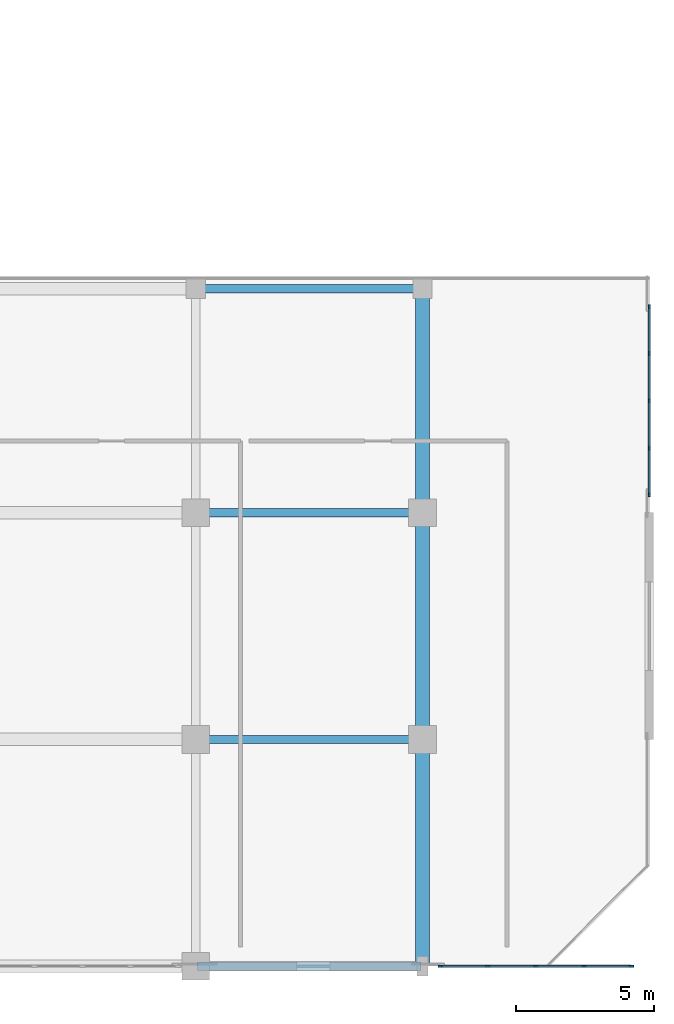
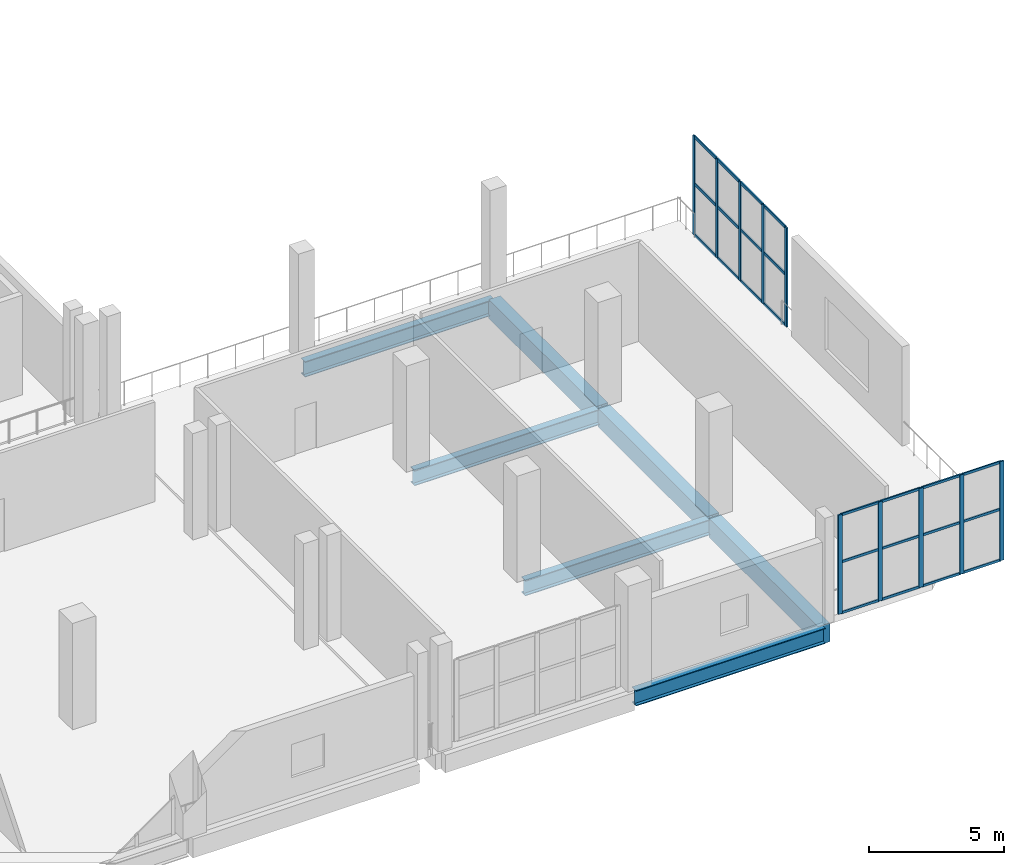
# One storey, part 38 of 129: 34 members, 7 beams, 2 elements without a shape of their own.
"""IFC4 building model written with IfcOpenShell, lengths in metres."""

import ifcopenshell
import ifcopenshell.guid

model = None  # the IFC model being written
_history = None  # IfcOwnerHistory: only IFC2X3 demands one
_inside = {}  # id of a spatial element -> (the spatial element, [elements in it])
_under = {}  # id of a project, library or spatial element -> (it, [spatial elements below it])
_declared = {}  # id of a project -> (the project, [libraries it declares])
_typed = {}  # id of a type object -> (the type object, [elements of that type])
_made_of = {}  # id of a material, layer set ... -> (it, [elements and type objects made of it])


def new_model(schema):
    """Start an empty IFC model of exactly this schema.

    Asked for "IFC4X3", IfcOpenShell would pick the latest addendum, in which some entities
    have other attributes; the version numbers below select the first issue.
    IFC2X3 requires an IfcOwnerHistory on every rooted entity: one is made here for all.
    """
    global model, _history
    if schema == "IFC4X3":
        model = ifcopenshell.file(schema_version=(4, 3, 0, 0))
    else:
        model = ifcopenshell.file(schema=schema)
    _inside.clear()
    _under.clear()
    _declared.clear()
    _typed.clear()
    _made_of.clear()
    _history = None
    if model.schema == "IFC2X3":
        org = make("IfcOrganization", Name="unknown")
        user = make(
            "IfcPersonAndOrganization",
            ThePerson=make("IfcPerson", FamilyName="unknown"),
            TheOrganization=org,
        )
        app = make(
            "IfcApplication",
            ApplicationDeveloper=org,
            Version="unknown",
            ApplicationFullName="unknown",
            ApplicationIdentifier="unknown",
        )
        _history = make(
            "IfcOwnerHistory",
            OwningUser=user,
            OwningApplication=app,
            ChangeAction="ADDED",
            CreationDate=0,
        )
    return model


def make(cls, **values):
    """One entity of the class cls with the attributes given. An attribute that is None is left unset."""
    return model.create_entity(
        cls, **{name: value for name, value in values.items() if value is not None}
    )


def rooted(cls, **values):
    """An entity with a GlobalId (a new one), such as an element, a storey or a relation."""
    return make(cls, GlobalId=ifcopenshell.guid.new(), OwnerHistory=_history, **values)


def si_unit(unit_type, name, prefix=None):
    """IfcSIUnit, for example si_unit("LENGTHUNIT", "METRE", prefix="MILLI")."""
    return make("IfcSIUnit", UnitType=unit_type, Prefix=prefix, Name=name)


def assignment(units):
    """IfcUnitAssignment: the units of a project."""
    return None if units is None else make("IfcUnitAssignment", Units=units)


def point(xyz):
    """IfcCartesianPoint."""
    return None if xyz is None else make("IfcCartesianPoint", Coordinates=xyz)


def direction(xyz):
    """IfcDirection."""
    return None if xyz is None else make("IfcDirection", DirectionRatios=xyz)


def frame(location, z_axis=None, x_axis=None):
    """IfcAxis2Placement3D, a coordinate frame: its origin and axes. An axis left out is left unset."""
    return make(
        "IfcAxis2Placement3D",
        Location=point(location),
        Axis=direction(z_axis),
        RefDirection=direction(x_axis),
    )


def frame_2d(location, x_axis=None):
    """IfcAxis2Placement2D, a coordinate frame in the plane: its origin and x axis."""
    return make(
        "IfcAxis2Placement2D", Location=point(location), RefDirection=direction(x_axis)
    )


def origin():
    """The frame at (0, 0, 0) with its axes left unset."""
    return frame((0.0, 0.0, 0.0))


def origin_2d():
    """The frame at (0, 0) in the plane with its x axis left unset."""
    return frame_2d((0.0, 0.0))


def place(relative_to, where):
    """IfcLocalPlacement: puts the frame where relative to a parent placement (None: the world)."""
    return make(
        "IfcLocalPlacement", PlacementRelTo=relative_to, RelativePlacement=where
    )


def context(
    kind, dimensions, precision=None, world=None, true_north=None, identifier=None
):
    """IfcGeometricRepresentationContext, for example the 3D "Model" context."""
    return make(
        "IfcGeometricRepresentationContext",
        ContextIdentifier=identifier,
        ContextType=kind,
        CoordinateSpaceDimension=dimensions,
        Precision=precision,
        WorldCoordinateSystem=world,
        TrueNorth=true_north,
    )


def subcontext(parent, identifier, kind, view, scale=None):
    """IfcGeometricRepresentationSubContext, for example "Body" below "Model"."""
    return make(
        "IfcGeometricRepresentationSubContext",
        ContextIdentifier=identifier,
        ContextType=kind,
        ParentContext=parent,
        TargetScale=scale,
        TargetView=view,
    )


def project(units=None, contexts=None):
    """IfcProject with its units and contexts."""
    return rooted(
        "IfcProject",
        Name="project",
        RepresentationContexts=contexts,
        UnitsInContext=assignment(units),
    )


def spatial(cls, under=None, at=None, **own):
    """A site, building, storey or space (cls), placed at a placement, below another one or the project."""
    s = rooted(cls, ObjectPlacement=at, **own)
    if under is not None:
        _under.setdefault(under.id(), (under, []))[1].append(s)
    return s


def profile(cls, at=None, kind="AREA", **sizes):
    """A parametric profile (cls). Its sizes go by their IFC names, for example OverallWidth=200.0."""
    return make(cls, ProfileType=kind, Position=at, **sizes)


def rectangle(**sizes):
    """IfcRectangleProfileDef."""
    return profile("IfcRectangleProfileDef", **sizes)


def i_section(**sizes):
    """IfcIShapeProfileDef."""
    return profile("IfcIShapeProfileDef", **sizes)


def extrude(swept, where, along, depth):
    """IfcExtrudedAreaSolid: the profile swept, set in the frame where, extruded along a direction by depth."""
    return make(
        "IfcExtrudedAreaSolid",
        SweptArea=swept,
        Position=where,
        ExtrudedDirection=direction(along),
        Depth=depth,
    )


def shape(context_of_items, identifier, shape_type, items):
    """IfcShapeRepresentation: the items that make up one representation, for example the "Body"."""
    return make(
        "IfcShapeRepresentation",
        ContextOfItems=context_of_items,
        RepresentationIdentifier=identifier,
        RepresentationType=shape_type,
        Items=items,
    )


def material(Name=None, Category=None):
    """IfcMaterial."""
    return make("IfcMaterial", Name=Name, Category=Category)


def material_profile(
    of_material, cross_section, Name=None, Category=None, Priority=None
):
    """IfcMaterialProfile: a cross section and its material."""
    return make(
        "IfcMaterialProfile",
        Name=Name,
        Material=of_material,
        Profile=cross_section,
        Priority=Priority,
        Category=Category,
    )


def profile_set(profiles, Name=None, composite=None):
    """IfcMaterialProfileSet."""
    return make(
        "IfcMaterialProfileSet",
        Name=Name,
        MaterialProfiles=profiles,
        CompositeProfile=composite,
    )


def made_of(thing, what):
    """Note that an element or type object is made of a material, layer set ...; save() writes the relation."""
    if what is not None:
        _made_of.setdefault(what.id(), (what, []))[1].append(thing)
    return thing


def type_object(cls, material=None, **own):
    """A type object (cls), such as IfcWallType, which elements share."""
    return made_of(rooted(cls, **own), material)


def element(
    cls,
    number,
    at=None,
    inside=None,
    cuts=None,
    type_object=None,
    material=None,
    context=None,
    identifier="Body",
    shape_type=None,
    held_by="IfcProductDefinitionShape",
    body=None,
    shapes=None,
    **own,
):
    """One element of the class cls, such as IfcWall. Its Tag is "e" and its number.

    at: its placement. inside: the storey or other place that contains it. cuts: it is an
    opening in that element (IfcRelVoidsElement). A single representation is given by context,
    identifier, shape_type and body (its items); several are given by shapes. held_by: the class
    of the entity that holds the representations. save() writes the other relations.
    """
    e = rooted(cls, Tag="e%d" % number, ObjectPlacement=at, **own)
    if body is not None:
        shapes = [shape(context, identifier, shape_type, body)]
    if shapes is not None:
        e.Representation = make(held_by, Representations=shapes)
    if inside is not None:
        _inside.setdefault(inside.id(), (inside, []))[1].append(e)
    if cuts is not None:
        rooted(
            "IfcRelVoidsElement", RelatingBuildingElement=cuts, RelatedOpeningElement=e
        )
    if type_object is not None:
        _typed.setdefault(type_object.id(), (type_object, []))[1].append(e)
    return made_of(e, material)


def aggregate(whole, parts):
    """IfcRelAggregates: a whole, such as a stair, and the parts it consists of."""
    return rooted("IfcRelAggregates", RelatingObject=whole, RelatedObjects=parts)


def save(model, path):
    """Write the relations noted so far, then the file.

    IfcRelAggregates (storeys below a building ...), IfcRelContainedInSpatialStructure (elements
    in a storey), IfcRelDefinesByType, IfcRelAssociatesMaterial and IfcRelDeclares: one each for
    every whole, place, type object, material and project.
    """
    for whole, parts in _under.values():
        aggregate(whole, parts)
    for where, things in _inside.values():
        rooted(
            "IfcRelContainedInSpatialStructure",
            RelatedElements=things,
            RelatingStructure=where,
        )
    for kind, things in _typed.values():
        rooted("IfcRelDefinesByType", RelatedObjects=things, RelatingType=kind)
    for what, things in _made_of.values():
        rooted("IfcRelAssociatesMaterial", RelatedObjects=things, RelatingMaterial=what)
    for by, libraries in _declared.values():
        rooted("IfcRelDeclares", RelatingContext=by, RelatedDefinitions=libraries)
    model.write(path)


model = new_model("IFC4")

# Units and contexts
model_context = context("Model", 3, precision=1e-05, world=origin(), true_north=direction((0.0, 1.0)))
body_context = subcontext(model_context, "Body", "Model", "MODEL_VIEW")
ifc_project = project(units=[si_unit("LENGTHUNIT", "METRE"), si_unit("AREAUNIT", "SQUARE_METRE"), si_unit("VOLUMEUNIT", "CUBIC_METRE"), si_unit("PLANEANGLEUNIT", "RADIAN"), si_unit("MASSUNIT", "GRAM", prefix="KILO")], contexts=[model_context])

# Site, building, storey
site_placement = place(None, origin())
site = spatial("IfcSite", under=ifc_project, at=site_placement, CompositionType="ELEMENT")
building_placement = place(site_placement, origin())
building = spatial("IfcBuilding", under=site, at=building_placement, Name="Koshinbarg Plaza Stadium", CompositionType="ELEMENT")
storey_placement = place(building_placement, frame((0.0, 0.0, 5.39990234375)))
storey = spatial("IfcBuildingStorey", under=building, at=storey_placement, Name="L01", CompositionType="ELEMENT", Elevation=5.39990234375)

# Beams
ifc_material_1 = material(Name="Concrete C40/50", Category="concrete")
ifc_material_profile_1 = material_profile(ifc_material_1, rectangle(XDim=0.5, YDim=0.85009765625, at=origin_2d()), Name="RC 500x850")
ifc_profile_set_1 = profile_set([ifc_material_profile_1], Name="Concrete C40/50")
beam_type_1 = type_object("IfcBeamType", Name="BM-RCG-05", PredefinedType="USERDEFINED", material=ifc_profile_set_1)
beam_1_placement = place(storey_placement, frame((235.800048828125, 0.06005859375, -0.744873046875), z_axis=(0.0, 1.0, 0.0), x_axis=(-1.0, 0.0, 0.0)))
element("IfcBeam", 1, at=beam_1_placement, inside=storey, type_object=beam_type_1, Name="L01 Y girder 24/A-B", ObjectType="GIRDER", PredefinedType="USERDEFINED", context=body_context, shape_type="SweptSolid", body=[
    extrude(rectangle(XDim=0.5, YDim=0.85009765625, at=origin_2d()), origin(), (0.0, 0.0, 1.0), 8.079833984375),
])
beam_2_placement = place(storey_placement, frame((235.800048828125, 8.260009765625, -0.744873046875), z_axis=(0.0, 1.0, 0.0), x_axis=(-1.0, 0.0, 0.0)))
element("IfcBeam", 2, at=beam_2_placement, inside=storey, type_object=beam_type_1, Name="L01 Y girder 24/B-C", ObjectType="GIRDER", PredefinedType="USERDEFINED", context=body_context, shape_type="SweptSolid", body=[
    extrude(rectangle(XDim=0.5, YDim=0.85009765625, at=origin_2d()), origin(), (0.0, 0.0, 1.0), 8.080078125),
])
beam_3_placement = place(storey_placement, frame((235.800048828125, 16.4599609375, -0.744873046875), z_axis=(0.0, 1.0, 0.0), x_axis=(-1.0, 0.0, 0.0)))
element("IfcBeam", 3, at=beam_3_placement, inside=storey, type_object=beam_type_1, Name="L01 Y girder 24/C-D", ObjectType="GIRDER", PredefinedType="USERDEFINED", context=body_context, shape_type="SweptSolid", body=[
    extrude(rectangle(XDim=0.5, YDim=0.85009765625, at=origin_2d()), origin(), (0.0, 0.0, 1.0), 7.97998046875),
])
ifc_material_2 = material(Name="Steel S355", Category="steel")
ifc_material_profile_2 = material_profile(ifc_material_2, i_section(OverallWidth=0.300048828125, OverallDepth=0.699951171875, WebThickness=0.01708984375, FlangeThickness=0.031982421875, at=origin_2d()), Name="HEB 700")
ifc_profile_set_2 = profile_set([ifc_material_profile_2], Name="Steel S355")
beam_type_2 = type_object("IfcBeamType", Name="BM-SGIR-03", PredefinedType="USERDEFINED", material=ifc_profile_set_2)
for number, where, z_axis, x_axis, name in (
    (4, (227.659912109375, 0.0, -0.669921875), (1.0, 0.0, 0.0), (0.0, 1.0, 0.0), "L01 X girder A/23-24"),
    (5, (227.659912109375, 8.199951171875, -0.669921875), (1.0, 0.0, 0.0), (0.0, 1.0, 0.0), "L01 X girder B/23-24"),
    (6, (227.659912109375, 16.39990234375, -0.669921875), (1.0, 0.0, 0.0), (0.0, 1.0, 0.0), "L01 X girder C/23-24"),
    (7, (227.659912109375, 24.5, -0.669921875), (1.0, 0.0, 0.0), (0.0, 1.0, 0.0), "L01 X girder D/23-24"),
):
    element("IfcBeam", number, at=place(storey_placement, frame(where, z_axis=z_axis, x_axis=x_axis)), inside=storey, type_object=beam_type_2, Name=name, ObjectType="GIRDER", PredefinedType="USERDEFINED", context=body_context, shape_type="SweptSolid", body=[
        extrude(i_section(OverallWidth=0.300048828125, OverallDepth=0.699951171875, WebThickness=0.01708984375, FlangeThickness=0.031982421875, at=origin_2d()), origin(), (0.0, 0.0, 1.0), 8.080078125),
    ])

# Curtain wall, members
ifc_material_3 = material(Name="Thermally broken anodised aluminium and low-E double glazing", Category="aluminium")
curtain_wall_type_1 = type_object("IfcCurtainWallType", Name="CW-SYS-10", PredefinedType="NOTDEFINED", material=ifc_material_3)
curtain_wall_1_placement = place(storey_placement, origin())
curtain_wall_1 = element("IfcCurtainWall", 8, at=curtain_wall_1_placement, inside=storey, type_object=curtain_wall_type_1, Name="L01 unitised curtain wall CW-L01-025", PredefinedType="NOTDEFINED")
ifc_material_4 = material(Name="Anodised aluminium mullion", Category="aluminium")
ifc_material_profile_3 = material_profile(ifc_material_4, rectangle(XDim=0.06005859375, YDim=0.159912109375, at=origin_2d()), Name="ALU 60x160")
ifc_profile_set_3 = profile_set([ifc_material_profile_3], Name="Anodised aluminium mullion")
member_type_1 = type_object("IfcMemberType", Name="CW-MUL-02", PredefinedType="MULLION", material=ifc_profile_set_3)
member_1_placement = place(storey_placement, frame((244.0, 23.85009765625, 0.0), z_axis=(0.0, 0.0, 1.0), x_axis=(1.0, 0.0, 0.0)))
member_1 = element("IfcMember", 9, at=member_1_placement, type_object=member_type_1, Name="CW10 mullion 1", PredefinedType="MULLION", context=body_context, shape_type="SweptSolid", body=[
    extrude(rectangle(XDim=0.06005859375, YDim=0.159912109375, at=origin_2d()), origin(), (0.0, 0.0, 1.0), 4.47998046875),
])
member_2_placement = place(storey_placement, frame((244.0, 22.1650390625, 0.0), z_axis=(0.0, 0.0, 1.0), x_axis=(1.0, 0.0, 0.0)))
member_2 = element("IfcMember", 10, at=member_2_placement, type_object=member_type_1, Name="CW10 mullion 2", PredefinedType="MULLION", context=body_context, shape_type="SweptSolid", body=[
    extrude(rectangle(XDim=0.06005859375, YDim=0.159912109375, at=origin_2d()), origin(), (0.0, 0.0, 1.0), 4.47998046875),
])
member_3_placement = place(storey_placement, frame((244.0, 20.449951171875, 0.0), z_axis=(0.0, 0.0, 1.0), x_axis=(1.0, 0.0, 0.0)))
member_3 = element("IfcMember", 11, at=member_3_placement, type_object=member_type_1, Name="CW10 mullion 3", PredefinedType="MULLION", context=body_context, shape_type="SweptSolid", body=[
    extrude(rectangle(XDim=0.06005859375, YDim=0.159912109375, at=origin_2d()), origin(), (0.0, 0.0, 1.0), 4.47998046875),
])
member_4_placement = place(storey_placement, frame((244.0, 18.735107421875, 0.0), z_axis=(0.0, 0.0, 1.0), x_axis=(1.0, 0.0, 0.0)))
member_4 = element("IfcMember", 12, at=member_4_placement, type_object=member_type_1, Name="CW10 mullion 4", PredefinedType="MULLION", context=body_context, shape_type="SweptSolid", body=[
    extrude(rectangle(XDim=0.06005859375, YDim=0.159912109375, at=origin_2d()), origin(), (0.0, 0.0, 1.0), 4.47998046875),
])
member_5_placement = place(storey_placement, frame((244.0, 17.050048828125, 0.0), z_axis=(0.0, 0.0, 1.0), x_axis=(1.0, 0.0, 0.0)))
member_5 = element("IfcMember", 13, at=member_5_placement, type_object=member_type_1, Name="CW10 mullion 5", PredefinedType="MULLION", context=body_context, shape_type="SweptSolid", body=[
    extrude(rectangle(XDim=0.06005859375, YDim=0.159912109375, at=origin_2d()), origin(), (0.0, 0.0, 1.0), 4.47998046875),
])

curtain_wall_type_2 = type_object("IfcCurtainWallType", Name="CW-SYS-11", PredefinedType="NOTDEFINED", material=ifc_material_3)
curtain_wall_2_placement = place(storey_placement, origin())
curtain_wall_2 = element("IfcCurtainWall", 14, at=curtain_wall_2_placement, inside=storey, type_object=curtain_wall_type_2, Name="L01 unitised curtain wall CW-L01-026", PredefinedType="NOTDEFINED")
ifc_material_profile_4 = material_profile(ifc_material_4, rectangle(XDim=0.070068359375, YDim=0.179931640625, at=origin_2d()), Name="ALU 70x180")
ifc_profile_set_4 = profile_set([ifc_material_profile_4], Name="Anodised aluminium mullion")
member_type_2 = type_object("IfcMemberType", Name="CW-MUL-03", PredefinedType="MULLION", material=ifc_profile_set_4)
member_6_placement = place(storey_placement, frame((243.35009765625, 0.0, 0.0), z_axis=(0.0, 0.0, 1.0), x_axis=(0.0, -1.0, 0.0)))
member_6 = element("IfcMember", 15, at=member_6_placement, type_object=member_type_2, Name="CW11 mullion 1", PredefinedType="MULLION", context=body_context, shape_type="SweptSolid", body=[
    extrude(rectangle(XDim=0.070068359375, YDim=0.179931640625, at=origin_2d()), origin(), (0.0, 0.0, 1.0), 4.47998046875),
])
member_7_placement = place(storey_placement, frame((241.639892578125, 0.0, 0.0), z_axis=(0.0, 0.0, 1.0), x_axis=(0.0, -1.0, 0.0)))
member_7 = element("IfcMember", 16, at=member_7_placement, type_object=member_type_2, Name="CW11 mullion 2", PredefinedType="MULLION", context=body_context, shape_type="SweptSolid", body=[
    extrude(rectangle(XDim=0.070068359375, YDim=0.179931640625, at=origin_2d()), origin(), (0.0, 0.0, 1.0), 4.47998046875),
])
member_8_placement = place(storey_placement, frame((239.89990234375, 0.0, 0.0), z_axis=(0.0, 0.0, 1.0), x_axis=(0.0, -1.0, 0.0)))
member_8 = element("IfcMember", 17, at=member_8_placement, type_object=member_type_2, Name="CW11 mullion 3", PredefinedType="MULLION", context=body_context, shape_type="SweptSolid", body=[
    extrude(rectangle(XDim=0.070068359375, YDim=0.179931640625, at=origin_2d()), origin(), (0.0, 0.0, 1.0), 4.47998046875),
])
member_9_placement = place(storey_placement, frame((238.159912109375, 0.0, 0.0), z_axis=(0.0, 0.0, 1.0), x_axis=(0.0, -1.0, 0.0)))
member_9 = element("IfcMember", 18, at=member_9_placement, type_object=member_type_2, Name="CW11 mullion 4", PredefinedType="MULLION", context=body_context, shape_type="SweptSolid", body=[
    extrude(rectangle(XDim=0.070068359375, YDim=0.179931640625, at=origin_2d()), origin(), (0.0, 0.0, 1.0), 4.47998046875),
])
member_10_placement = place(storey_placement, frame((236.449951171875, 0.0, 0.0), z_axis=(0.0, 0.0, 1.0), x_axis=(0.0, -1.0, 0.0)))
member_10 = element("IfcMember", 19, at=member_10_placement, type_object=member_type_2, Name="CW11 mullion 5", PredefinedType="MULLION", context=body_context, shape_type="SweptSolid", body=[
    extrude(rectangle(XDim=0.070068359375, YDim=0.179931640625, at=origin_2d()), origin(), (0.0, 0.0, 1.0), 4.47998046875),
])
ifc_material_5 = material(Name="Anodised aluminium transom", Category="aluminium")
ifc_material_profile_5 = material_profile(ifc_material_5, rectangle(XDim=0.06005859375, YDim=0.110107421875, at=origin_2d()), Name="ALU 60x110")
ifc_profile_set_5 = profile_set([ifc_material_profile_5], Name="Anodised aluminium transom")
member_type_3 = type_object("IfcMemberType", Name="CW-TRN-01", PredefinedType="USERDEFINED", material=ifc_profile_set_5)
member_11_placement = place(storey_placement, frame((243.320068359375, 0.0, 0.030029296875), z_axis=(-1.0, 0.0, 0.0), x_axis=(0.0, -1.0, 0.0)))
member_11 = element("IfcMember", 20, at=member_11_placement, type_object=member_type_3, Name="CW11 transom 1.1", ObjectType="TRANSOM", PredefinedType="USERDEFINED", context=body_context, shape_type="SweptSolid", body=[
    extrude(rectangle(XDim=0.06005859375, YDim=0.110107421875, at=origin_2d()), origin(), (0.0, 0.0, 1.0), 1.650146484375),
])
member_12_placement = place(storey_placement, frame((243.320068359375, 0.0, 2.32958984375), z_axis=(-1.0, 0.0, 0.0), x_axis=(0.0, -1.0, 0.0)))
member_12 = element("IfcMember", 21, at=member_12_placement, type_object=member_type_3, Name="CW11 transom 1.2", ObjectType="TRANSOM", PredefinedType="USERDEFINED", context=body_context, shape_type="SweptSolid", body=[
    extrude(rectangle(XDim=0.06005859375, YDim=0.110107421875, at=origin_2d()), origin(), (0.0, 0.0, 1.0), 1.650146484375),
])
member_13_placement = place(storey_placement, frame((243.320068359375, 0.0, 4.4501953125), z_axis=(-1.0, 0.0, 0.0), x_axis=(0.0, -1.0, 0.0)))
member_13 = element("IfcMember", 22, at=member_13_placement, type_object=member_type_3, Name="CW11 transom 1.3", ObjectType="TRANSOM", PredefinedType="USERDEFINED", context=body_context, shape_type="SweptSolid", body=[
    extrude(rectangle(XDim=0.06005859375, YDim=0.110107421875, at=origin_2d()), origin(), (0.0, 0.0, 1.0), 1.650146484375),
])
member_14_placement = place(storey_placement, frame((241.610107421875, 0.0, 0.030029296875), z_axis=(-1.0, 0.0, 0.0), x_axis=(0.0, -1.0, 0.0)))
member_14 = element("IfcMember", 23, at=member_14_placement, type_object=member_type_3, Name="CW11 transom 2.1", ObjectType="TRANSOM", PredefinedType="USERDEFINED", context=body_context, shape_type="SweptSolid", body=[
    extrude(rectangle(XDim=0.06005859375, YDim=0.110107421875, at=origin_2d()), origin(), (0.0, 0.0, 1.0), 1.68017578125),
])
member_15_placement = place(storey_placement, frame((241.610107421875, 0.0, 2.32958984375), z_axis=(-1.0, 0.0, 0.0), x_axis=(0.0, -1.0, 0.0)))
member_15 = element("IfcMember", 24, at=member_15_placement, type_object=member_type_3, Name="CW11 transom 2.2", ObjectType="TRANSOM", PredefinedType="USERDEFINED", context=body_context, shape_type="SweptSolid", body=[
    extrude(rectangle(XDim=0.06005859375, YDim=0.110107421875, at=origin_2d()), origin(), (0.0, 0.0, 1.0), 1.68017578125),
])
member_16_placement = place(storey_placement, frame((241.610107421875, 0.0, 4.4501953125), z_axis=(-1.0, 0.0, 0.0), x_axis=(0.0, -1.0, 0.0)))
member_16 = element("IfcMember", 25, at=member_16_placement, type_object=member_type_3, Name="CW11 transom 2.3", ObjectType="TRANSOM", PredefinedType="USERDEFINED", context=body_context, shape_type="SweptSolid", body=[
    extrude(rectangle(XDim=0.06005859375, YDim=0.110107421875, at=origin_2d()), origin(), (0.0, 0.0, 1.0), 1.68017578125),
])
member_17_placement = place(storey_placement, frame((239.8701171875, 0.0, 0.030029296875), z_axis=(-1.0, 0.0, 0.0), x_axis=(0.0, -1.0, 0.0)))
member_17 = element("IfcMember", 26, at=member_17_placement, type_object=member_type_3, Name="CW11 transom 3.1", ObjectType="TRANSOM", PredefinedType="USERDEFINED", context=body_context, shape_type="SweptSolid", body=[
    extrude(rectangle(XDim=0.06005859375, YDim=0.110107421875, at=origin_2d()), origin(), (0.0, 0.0, 1.0), 1.68017578125),
])
member_18_placement = place(storey_placement, frame((239.8701171875, 0.0, 2.32958984375), z_axis=(-1.0, 0.0, 0.0), x_axis=(0.0, -1.0, 0.0)))
member_18 = element("IfcMember", 27, at=member_18_placement, type_object=member_type_3, Name="CW11 transom 3.2", ObjectType="TRANSOM", PredefinedType="USERDEFINED", context=body_context, shape_type="SweptSolid", body=[
    extrude(rectangle(XDim=0.06005859375, YDim=0.110107421875, at=origin_2d()), origin(), (0.0, 0.0, 1.0), 1.68017578125),
])
member_19_placement = place(storey_placement, frame((239.8701171875, 0.0, 4.4501953125), z_axis=(-1.0, 0.0, 0.0), x_axis=(0.0, -1.0, 0.0)))
member_19 = element("IfcMember", 28, at=member_19_placement, type_object=member_type_3, Name="CW11 transom 3.3", ObjectType="TRANSOM", PredefinedType="USERDEFINED", context=body_context, shape_type="SweptSolid", body=[
    extrude(rectangle(XDim=0.06005859375, YDim=0.110107421875, at=origin_2d()), origin(), (0.0, 0.0, 1.0), 1.68017578125),
])
member_20_placement = place(storey_placement, frame((238.1298828125, 0.0, 0.030029296875), z_axis=(-1.0, 0.0, 0.0), x_axis=(0.0, -1.0, 0.0)))
member_20 = element("IfcMember", 29, at=member_20_placement, type_object=member_type_3, Name="CW11 transom 4.1", ObjectType="TRANSOM", PredefinedType="USERDEFINED", context=body_context, shape_type="SweptSolid", body=[
    extrude(rectangle(XDim=0.06005859375, YDim=0.110107421875, at=origin_2d()), origin(), (0.0, 0.0, 1.0), 1.64990234375),
])
member_21_placement = place(storey_placement, frame((238.1298828125, 0.0, 2.32958984375), z_axis=(-1.0, 0.0, 0.0), x_axis=(0.0, -1.0, 0.0)))
member_21 = element("IfcMember", 30, at=member_21_placement, type_object=member_type_3, Name="CW11 transom 4.2", ObjectType="TRANSOM", PredefinedType="USERDEFINED", context=body_context, shape_type="SweptSolid", body=[
    extrude(rectangle(XDim=0.06005859375, YDim=0.110107421875, at=origin_2d()), origin(), (0.0, 0.0, 1.0), 1.64990234375),
])
member_22_placement = place(storey_placement, frame((238.1298828125, 0.0, 4.4501953125), z_axis=(-1.0, 0.0, 0.0), x_axis=(0.0, -1.0, 0.0)))
member_22 = element("IfcMember", 31, at=member_22_placement, type_object=member_type_3, Name="CW11 transom 4.3", ObjectType="TRANSOM", PredefinedType="USERDEFINED", context=body_context, shape_type="SweptSolid", body=[
    extrude(rectangle(XDim=0.06005859375, YDim=0.110107421875, at=origin_2d()), origin(), (0.0, 0.0, 1.0), 1.64990234375),
])
aggregate(curtain_wall_2, [member_6, member_7, member_8, member_9, member_10, member_11, member_12, member_13, member_14, member_15, member_16, member_17, member_18, member_19, member_20, member_21, member_22])

# Member
ifc_material_profile_6 = material_profile(ifc_material_5, rectangle(XDim=0.06005859375, YDim=0.1298828125, at=origin_2d()), Name="ALU 60x130")
ifc_profile_set_6 = profile_set([ifc_material_profile_6], Name="Anodised aluminium transom")
member_type_4 = type_object("IfcMemberType", Name="CW-TRN-02", PredefinedType="USERDEFINED", material=ifc_profile_set_6)
member_23_placement = place(storey_placement, frame((244.0, 23.820068359375, 0.030029296875), z_axis=(0.0, -1.0, 0.0), x_axis=(1.0, 0.0, 0.0)))
member_23 = element("IfcMember", 32, at=member_23_placement, type_object=member_type_4, Name="CW10 transom 1.1", ObjectType="TRANSOM", PredefinedType="USERDEFINED", context=body_context, shape_type="SweptSolid", body=[
    extrude(rectangle(XDim=0.06005859375, YDim=0.1298828125, at=origin_2d()), origin(), (0.0, 0.0, 1.0), 1.625),
])

member_24_placement = place(storey_placement, frame((244.0, 23.820068359375, 2.32958984375), z_axis=(0.0, -1.0, 0.0), x_axis=(1.0, 0.0, 0.0)))
member_24 = element("IfcMember", 33, at=member_24_placement, type_object=member_type_4, Name="CW10 transom 1.2", ObjectType="TRANSOM", PredefinedType="USERDEFINED", context=body_context, shape_type="SweptSolid", body=[
    extrude(rectangle(XDim=0.06005859375, YDim=0.1298828125, at=origin_2d()), origin(), (0.0, 0.0, 1.0), 1.625),
])

member_25_placement = place(storey_placement, frame((244.0, 23.820068359375, 4.4501953125), z_axis=(0.0, -1.0, 0.0), x_axis=(1.0, 0.0, 0.0)))
member_25 = element("IfcMember", 34, at=member_25_placement, type_object=member_type_4, Name="CW10 transom 1.3", ObjectType="TRANSOM", PredefinedType="USERDEFINED", context=body_context, shape_type="SweptSolid", body=[
    extrude(rectangle(XDim=0.06005859375, YDim=0.1298828125, at=origin_2d()), origin(), (0.0, 0.0, 1.0), 1.625),
])

member_26_placement = place(storey_placement, frame((244.0, 22.135009765625, 0.030029296875), z_axis=(0.0, -1.0, 0.0), x_axis=(1.0, 0.0, 0.0)))
member_26 = element("IfcMember", 35, at=member_26_placement, type_object=member_type_4, Name="CW10 transom 2.1", ObjectType="TRANSOM", PredefinedType="USERDEFINED", context=body_context, shape_type="SweptSolid", body=[
    extrude(rectangle(XDim=0.06005859375, YDim=0.1298828125, at=origin_2d()), origin(), (0.0, 0.0, 1.0), 1.655029296875),
])

member_27_placement = place(storey_placement, frame((244.0, 22.135009765625, 2.32958984375), z_axis=(0.0, -1.0, 0.0), x_axis=(1.0, 0.0, 0.0)))
member_27 = element("IfcMember", 36, at=member_27_placement, type_object=member_type_4, Name="CW10 transom 2.2", ObjectType="TRANSOM", PredefinedType="USERDEFINED", context=body_context, shape_type="SweptSolid", body=[
    extrude(rectangle(XDim=0.06005859375, YDim=0.1298828125, at=origin_2d()), origin(), (0.0, 0.0, 1.0), 1.655029296875),
])

member_28_placement = place(storey_placement, frame((244.0, 22.135009765625, 4.4501953125), z_axis=(0.0, -1.0, 0.0), x_axis=(1.0, 0.0, 0.0)))
member_28 = element("IfcMember", 37, at=member_28_placement, type_object=member_type_4, Name="CW10 transom 2.3", ObjectType="TRANSOM", PredefinedType="USERDEFINED", context=body_context, shape_type="SweptSolid", body=[
    extrude(rectangle(XDim=0.06005859375, YDim=0.1298828125, at=origin_2d()), origin(), (0.0, 0.0, 1.0), 1.655029296875),
])

member_29_placement = place(storey_placement, frame((244.0, 20.419921875, 0.030029296875), z_axis=(0.0, -1.0, 0.0), x_axis=(1.0, 0.0, 0.0)))
member_29 = element("IfcMember", 38, at=member_29_placement, type_object=member_type_4, Name="CW10 transom 3.1", ObjectType="TRANSOM", PredefinedType="USERDEFINED", context=body_context, shape_type="SweptSolid", body=[
    extrude(rectangle(XDim=0.06005859375, YDim=0.1298828125, at=origin_2d()), origin(), (0.0, 0.0, 1.0), 1.655029296875),
])

member_30_placement = place(storey_placement, frame((244.0, 20.419921875, 2.32958984375), z_axis=(0.0, -1.0, 0.0), x_axis=(1.0, 0.0, 0.0)))
member_30 = element("IfcMember", 39, at=member_30_placement, type_object=member_type_4, Name="CW10 transom 3.2", ObjectType="TRANSOM", PredefinedType="USERDEFINED", context=body_context, shape_type="SweptSolid", body=[
    extrude(rectangle(XDim=0.06005859375, YDim=0.1298828125, at=origin_2d()), origin(), (0.0, 0.0, 1.0), 1.655029296875),
])

member_31_placement = place(storey_placement, frame((244.0, 20.419921875, 4.4501953125), z_axis=(0.0, -1.0, 0.0), x_axis=(1.0, 0.0, 0.0)))
member_31 = element("IfcMember", 40, at=member_31_placement, type_object=member_type_4, Name="CW10 transom 3.3", ObjectType="TRANSOM", PredefinedType="USERDEFINED", context=body_context, shape_type="SweptSolid", body=[
    extrude(rectangle(XDim=0.06005859375, YDim=0.1298828125, at=origin_2d()), origin(), (0.0, 0.0, 1.0), 1.655029296875),
])

member_32_placement = place(storey_placement, frame((244.0, 18.705078125, 0.030029296875), z_axis=(0.0, -1.0, 0.0), x_axis=(1.0, 0.0, 0.0)))
member_32 = element("IfcMember", 41, at=member_32_placement, type_object=member_type_4, Name="CW10 transom 4.1", ObjectType="TRANSOM", PredefinedType="USERDEFINED", context=body_context, shape_type="SweptSolid", body=[
    extrude(rectangle(XDim=0.06005859375, YDim=0.1298828125, at=origin_2d()), origin(), (0.0, 0.0, 1.0), 1.625),
])

member_33_placement = place(storey_placement, frame((244.0, 18.705078125, 2.32958984375), z_axis=(0.0, -1.0, 0.0), x_axis=(1.0, 0.0, 0.0)))
member_33 = element("IfcMember", 42, at=member_33_placement, type_object=member_type_4, Name="CW10 transom 4.2", ObjectType="TRANSOM", PredefinedType="USERDEFINED", context=body_context, shape_type="SweptSolid", body=[
    extrude(rectangle(XDim=0.06005859375, YDim=0.1298828125, at=origin_2d()), origin(), (0.0, 0.0, 1.0), 1.625),
])

member_34_placement = place(storey_placement, frame((244.0, 18.705078125, 4.4501953125), z_axis=(0.0, -1.0, 0.0), x_axis=(1.0, 0.0, 0.0)))
member_34 = element("IfcMember", 43, at=member_34_placement, type_object=member_type_4, Name="CW10 transom 4.3", ObjectType="TRANSOM", PredefinedType="USERDEFINED", context=body_context, shape_type="SweptSolid", body=[
    extrude(rectangle(XDim=0.06005859375, YDim=0.1298828125, at=origin_2d()), origin(), (0.0, 0.0, 1.0), 1.625),
])

aggregate(curtain_wall_1, [member_1, member_2, member_3, member_4, member_5, member_23, member_24, member_25, member_26, member_27, member_28, member_29, member_30, member_31, member_32, member_33, member_34])

save(model, "model.ifc")
